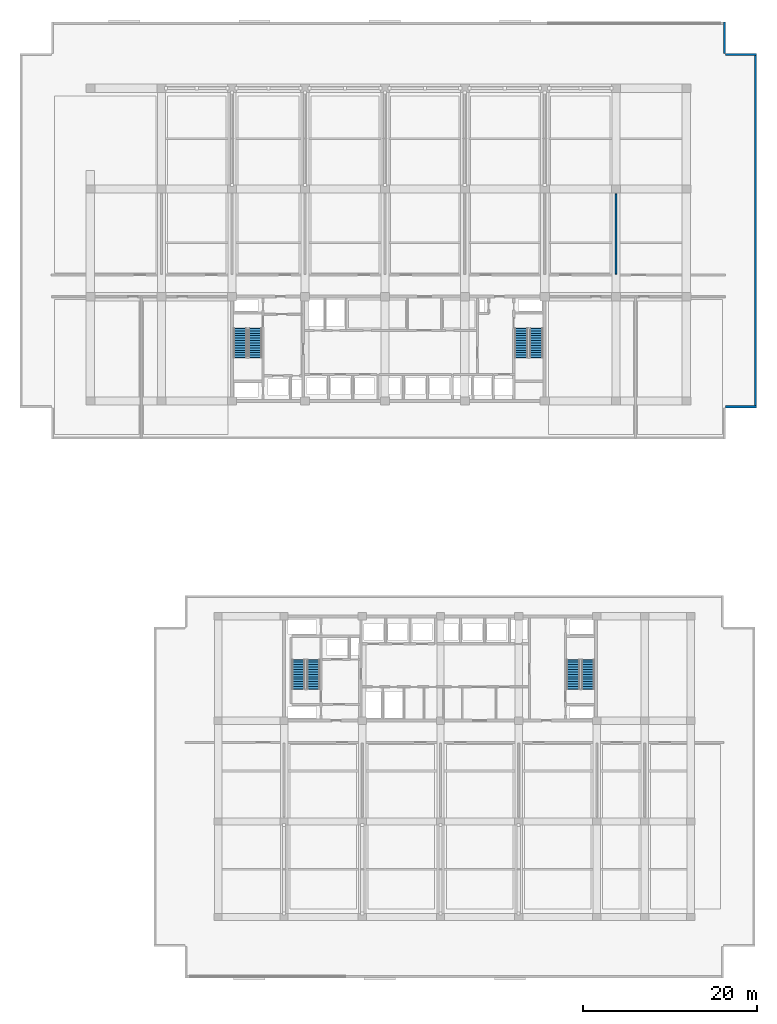
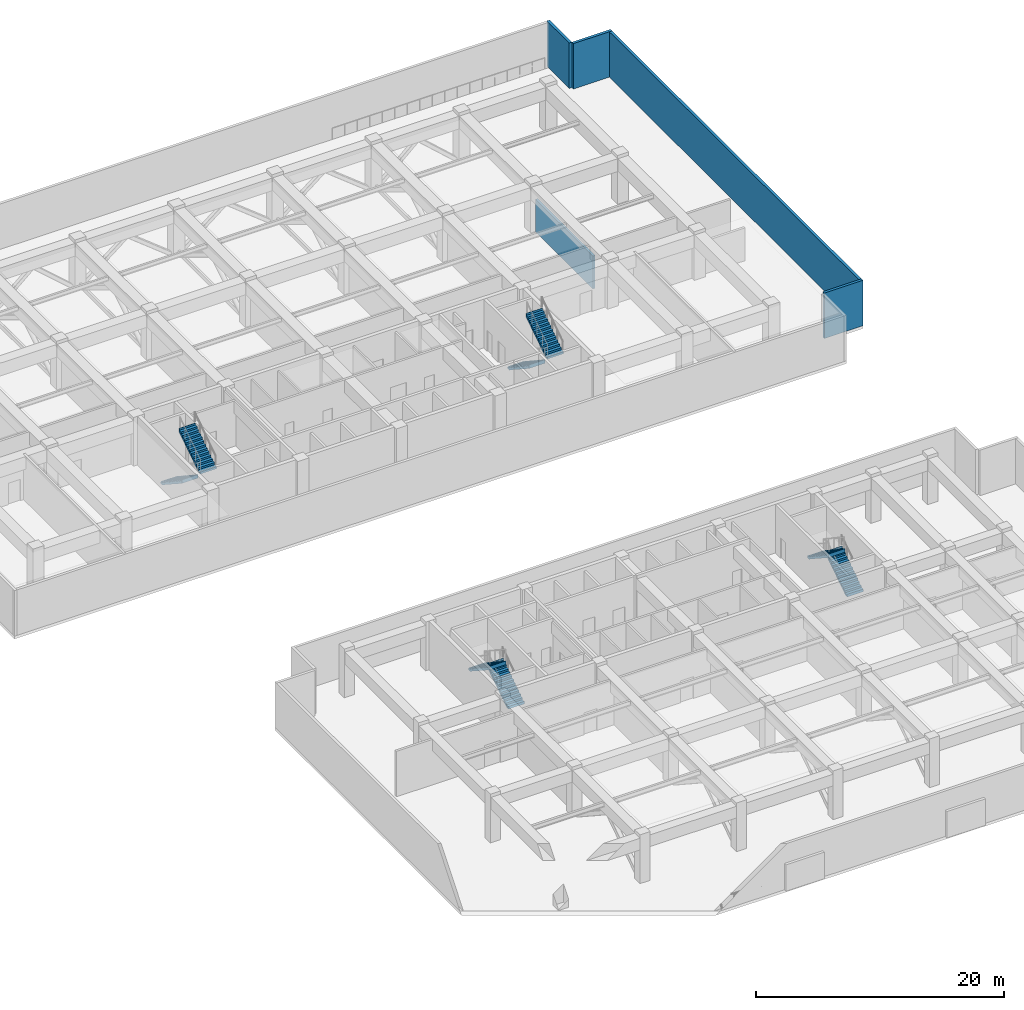
# One storey, part 14 of 21: 8 stair flights, 5 walls, 4 elements without a shape of their own.
"""IFC4 building model written with IfcOpenShell, lengths in metres."""

import ifcopenshell
import ifcopenshell.guid

model = None  # the IFC model being written
_history = None  # IfcOwnerHistory: only IFC2X3 demands one
_inside = {}  # id of a spatial element -> (the spatial element, [elements in it])
_under = {}  # id of a project, library or spatial element -> (it, [spatial elements below it])
_declared = {}  # id of a project -> (the project, [libraries it declares])
_typed = {}  # id of a type object -> (the type object, [elements of that type])
_made_of = {}  # id of a material, layer set ... -> (it, [elements and type objects made of it])


def new_model(schema):
    """Start an empty IFC model of exactly this schema.

    Asked for "IFC4X3", IfcOpenShell would pick the latest addendum, in which some entities
    have other attributes; the version numbers below select the first issue.
    IFC2X3 requires an IfcOwnerHistory on every rooted entity: one is made here for all.
    """
    global model, _history
    if schema == "IFC4X3":
        model = ifcopenshell.file(schema_version=(4, 3, 0, 0))
    else:
        model = ifcopenshell.file(schema=schema)
    _inside.clear()
    _under.clear()
    _declared.clear()
    _typed.clear()
    _made_of.clear()
    _history = None
    if model.schema == "IFC2X3":
        org = make("IfcOrganization", Name="unknown")
        user = make(
            "IfcPersonAndOrganization",
            ThePerson=make("IfcPerson", FamilyName="unknown"),
            TheOrganization=org,
        )
        app = make(
            "IfcApplication",
            ApplicationDeveloper=org,
            Version="unknown",
            ApplicationFullName="unknown",
            ApplicationIdentifier="unknown",
        )
        _history = make(
            "IfcOwnerHistory",
            OwningUser=user,
            OwningApplication=app,
            ChangeAction="ADDED",
            CreationDate=0,
        )
    return model


def make(cls, **values):
    """One entity of the class cls with the attributes given. An attribute that is None is left unset."""
    return model.create_entity(
        cls, **{name: value for name, value in values.items() if value is not None}
    )


def rooted(cls, **values):
    """An entity with a GlobalId (a new one), such as an element, a storey or a relation."""
    return make(cls, GlobalId=ifcopenshell.guid.new(), OwnerHistory=_history, **values)


def si_unit(unit_type, name, prefix=None):
    """IfcSIUnit, for example si_unit("LENGTHUNIT", "METRE", prefix="MILLI")."""
    return make("IfcSIUnit", UnitType=unit_type, Prefix=prefix, Name=name)


def assignment(units):
    """IfcUnitAssignment: the units of a project."""
    return None if units is None else make("IfcUnitAssignment", Units=units)


def point(xyz):
    """IfcCartesianPoint."""
    return None if xyz is None else make("IfcCartesianPoint", Coordinates=xyz)


def direction(xyz):
    """IfcDirection."""
    return None if xyz is None else make("IfcDirection", DirectionRatios=xyz)


def frame(location, z_axis=None, x_axis=None):
    """IfcAxis2Placement3D, a coordinate frame: its origin and axes. An axis left out is left unset."""
    return make(
        "IfcAxis2Placement3D",
        Location=point(location),
        Axis=direction(z_axis),
        RefDirection=direction(x_axis),
    )


def frame_2d(location, x_axis=None):
    """IfcAxis2Placement2D, a coordinate frame in the plane: its origin and x axis."""
    return make(
        "IfcAxis2Placement2D", Location=point(location), RefDirection=direction(x_axis)
    )


def origin():
    """The frame at (0, 0, 0) with its axes left unset."""
    return frame((0.0, 0.0, 0.0))


def place(relative_to, where):
    """IfcLocalPlacement: puts the frame where relative to a parent placement (None: the world)."""
    return make(
        "IfcLocalPlacement", PlacementRelTo=relative_to, RelativePlacement=where
    )


def context(
    kind, dimensions, precision=None, world=None, true_north=None, identifier=None
):
    """IfcGeometricRepresentationContext, for example the 3D "Model" context."""
    return make(
        "IfcGeometricRepresentationContext",
        ContextIdentifier=identifier,
        ContextType=kind,
        CoordinateSpaceDimension=dimensions,
        Precision=precision,
        WorldCoordinateSystem=world,
        TrueNorth=true_north,
    )


def subcontext(parent, identifier, kind, view, scale=None):
    """IfcGeometricRepresentationSubContext, for example "Body" below "Model"."""
    return make(
        "IfcGeometricRepresentationSubContext",
        ContextIdentifier=identifier,
        ContextType=kind,
        ParentContext=parent,
        TargetScale=scale,
        TargetView=view,
    )


def project(units=None, contexts=None):
    """IfcProject with its units and contexts."""
    return rooted(
        "IfcProject",
        Name="project",
        RepresentationContexts=contexts,
        UnitsInContext=assignment(units),
    )


def spatial(cls, under=None, at=None, **own):
    """A site, building, storey or space (cls), placed at a placement, below another one or the project."""
    s = rooted(cls, ObjectPlacement=at, **own)
    if under is not None:
        _under.setdefault(under.id(), (under, []))[1].append(s)
    return s


def polyline(points):
    """IfcPolyline through the points."""
    return make("IfcPolyline", Points=[point(p) for p in points])


def profile(cls, at=None, kind="AREA", **sizes):
    """A parametric profile (cls). Its sizes go by their IFC names, for example OverallWidth=200.0."""
    return make(cls, ProfileType=kind, Position=at, **sizes)


def rectangle(**sizes):
    """IfcRectangleProfileDef."""
    return profile("IfcRectangleProfileDef", **sizes)


def outline(outer, holes=None, kind="AREA"):
    """IfcArbitraryClosedProfileDef: a profile drawn as a closed curve; with holes, ...WithVoids."""
    if holes is None:
        return make("IfcArbitraryClosedProfileDef", ProfileType=kind, OuterCurve=outer)
    return make(
        "IfcArbitraryProfileDefWithVoids",
        ProfileType=kind,
        OuterCurve=outer,
        InnerCurves=holes,
    )


def extrude(swept, where, along, depth):
    """IfcExtrudedAreaSolid: the profile swept, set in the frame where, extruded along a direction by depth."""
    return make(
        "IfcExtrudedAreaSolid",
        SweptArea=swept,
        Position=where,
        ExtrudedDirection=direction(along),
        Depth=depth,
    )


def shape(context_of_items, identifier, shape_type, items):
    """IfcShapeRepresentation: the items that make up one representation, for example the "Body"."""
    return make(
        "IfcShapeRepresentation",
        ContextOfItems=context_of_items,
        RepresentationIdentifier=identifier,
        RepresentationType=shape_type,
        Items=items,
    )


def material(Name=None, Category=None):
    """IfcMaterial."""
    return make("IfcMaterial", Name=Name, Category=Category)


def layer(
    of_material, thickness, ventilated=None, Name=None, Category=None, Priority=None
):
    """IfcMaterialLayer: one layer of a wall or slab, of a material (None: an air gap)."""
    return make(
        "IfcMaterialLayer",
        Material=of_material,
        LayerThickness=thickness,
        IsVentilated=ventilated,
        Name=Name,
        Category=Category,
        Priority=Priority,
    )


def layer_set(layers, Name=None):
    """IfcMaterialLayerSet."""
    return make("IfcMaterialLayerSet", MaterialLayers=layers, LayerSetName=Name)


def made_of(thing, what):
    """Note that an element or type object is made of a material, layer set ...; save() writes the relation."""
    if what is not None:
        _made_of.setdefault(what.id(), (what, []))[1].append(thing)
    return thing


def type_object(cls, material=None, **own):
    """A type object (cls), such as IfcWallType, which elements share."""
    return made_of(rooted(cls, **own), material)


def element(
    cls,
    number,
    at=None,
    inside=None,
    cuts=None,
    type_object=None,
    material=None,
    context=None,
    identifier="Body",
    shape_type=None,
    held_by="IfcProductDefinitionShape",
    body=None,
    shapes=None,
    **own,
):
    """One element of the class cls, such as IfcWall. Its Tag is "e" and its number.

    at: its placement. inside: the storey or other place that contains it. cuts: it is an
    opening in that element (IfcRelVoidsElement). A single representation is given by context,
    identifier, shape_type and body (its items); several are given by shapes. held_by: the class
    of the entity that holds the representations. save() writes the other relations.
    """
    e = rooted(cls, Tag="e%d" % number, ObjectPlacement=at, **own)
    if body is not None:
        shapes = [shape(context, identifier, shape_type, body)]
    if shapes is not None:
        e.Representation = make(held_by, Representations=shapes)
    if inside is not None:
        _inside.setdefault(inside.id(), (inside, []))[1].append(e)
    if cuts is not None:
        rooted(
            "IfcRelVoidsElement", RelatingBuildingElement=cuts, RelatedOpeningElement=e
        )
    if type_object is not None:
        _typed.setdefault(type_object.id(), (type_object, []))[1].append(e)
    return made_of(e, material)


def aggregate(whole, parts):
    """IfcRelAggregates: a whole, such as a stair, and the parts it consists of."""
    return rooted("IfcRelAggregates", RelatingObject=whole, RelatedObjects=parts)


def save(model, path):
    """Write the relations noted so far, then the file.

    IfcRelAggregates (storeys below a building ...), IfcRelContainedInSpatialStructure (elements
    in a storey), IfcRelDefinesByType, IfcRelAssociatesMaterial and IfcRelDeclares: one each for
    every whole, place, type object, material and project.
    """
    for whole, parts in _under.values():
        aggregate(whole, parts)
    for where, things in _inside.values():
        rooted(
            "IfcRelContainedInSpatialStructure",
            RelatedElements=things,
            RelatingStructure=where,
        )
    for kind, things in _typed.values():
        rooted("IfcRelDefinesByType", RelatedObjects=things, RelatingType=kind)
    for what, things in _made_of.values():
        rooted("IfcRelAssociatesMaterial", RelatedObjects=things, RelatingMaterial=what)
    for by, libraries in _declared.values():
        rooted("IfcRelDeclares", RelatingContext=by, RelatedDefinitions=libraries)
    model.write(path)


model = new_model("IFC4")

# Units and contexts
model_context = context("Model", 3, precision=1e-05, world=origin(), true_north=direction((0.0, 1.0)))
body_context = subcontext(model_context, "Body", "Model", "MODEL_VIEW")
ifc_project = project(units=[si_unit("LENGTHUNIT", "METRE"), si_unit("AREAUNIT", "SQUARE_METRE"), si_unit("VOLUMEUNIT", "CUBIC_METRE"), si_unit("PLANEANGLEUNIT", "RADIAN"), si_unit("MASSUNIT", "GRAM", prefix="KILO")], contexts=[model_context])

# Site, building, storey
site_placement = place(None, origin())
site = spatial("IfcSite", under=ifc_project, at=site_placement, CompositionType="ELEMENT")
building_placement = place(site_placement, origin())
building = spatial("IfcBuilding", under=site, at=building_placement, Name="Korimba Cascade Residences", CompositionType="ELEMENT")
storey_placement = place(building_placement, frame((0.0, 0.0, 76.0)))
storey = spatial("IfcBuildingStorey", under=building, at=storey_placement, Name="L21", CompositionType="ELEMENT", Elevation=76.0)

# Walls
ifc_material_1 = material(Name="Precast concrete C40/50", Category="concrete")
ifc_layer_1 = layer(ifc_material_1, 0.25)
ifc_layer_set_1 = layer_set([ifc_layer_1], Name="Precast concrete C40/50")
wall_type_1 = type_object("IfcWallType", Name="EW-PLNT-250", PredefinedType="SHEAR", material=ifc_layer_set_1)
wall_1_placement = place(storey_placement, frame((132.89990234375, 54.52490234375, 0.0), z_axis=(0.0, 0.0, 1.0), x_axis=(1.0, 0.0, 0.0)))
element("IfcWall", 1, at=wall_1_placement, inside=storey, type_object=wall_type_1, Name="L21 T1 Perimeter Stone Wall E02", PredefinedType="SHEAR", context=body_context, shape_type="SweptSolid", body=[
    extrude(rectangle(XDim=3.60009765625, YDim=0.25, at=frame_2d((1.800048828125, 0.0))), origin(), (0.0, 0.0, 1.0), 4.47998046875),
])
wall_2_placement = place(storey_placement, frame((136.375, 54.39990234375, 0.0), z_axis=(0.0, 0.0, 1.0), x_axis=(0.0, 1.0, 0.0)))
element("IfcWall", 2, at=wall_2_placement, inside=storey, type_object=wall_type_1, Name="L21 T1 Perimeter Stone Wall E03", PredefinedType="SHEAR", context=body_context, shape_type="SweptSolid", body=[
    extrude(rectangle(XDim=40.800048828125, YDim=0.25, at=frame_2d((20.39990234375, 0.0))), origin(), (0.0, 0.0, 1.0), 4.47998046875),
])
for number, where, z_axis, x_axis, name in (
    (3, (136.5, 95.074951171875, 0.0), (0.0, 0.0, 1.0), (-1.0, 0.0, 0.0), "L21 T1 Perimeter Stone Wall E04"),
    (4, (132.77490234375, 95.199951171875, 0.0), (0.0, 0.0, 1.0), (0.0, 1.0, 0.0), "L21 T1 Perimeter Stone Wall E05"),
):
    element("IfcWall", number, at=place(storey_placement, frame(where, z_axis=z_axis, x_axis=x_axis)), inside=storey, type_object=wall_type_1, Name=name, PredefinedType="SHEAR", context=body_context, shape_type="SweptSolid", body=[
        extrude(rectangle(XDim=3.60009765625, YDim=0.25, at=frame_2d((1.800048828125, 0.0))), origin(), (0.0, 0.0, 1.0), 4.47998046875),
    ])
ifc_material_2 = material(Name="Concrete C40/50", Category="concrete")
ifc_layer_2 = layer(ifc_material_2, 0.199951171875)
ifc_layer_set_2 = layer_set([ifc_layer_2], Name="Concrete C40/50")
wall_type_2 = type_object("IfcWallType", Name="WAL-PART-200", PredefinedType="PARTITIONING", material=ifc_layer_set_2)
wall_3_placement = place(storey_placement, frame((120.300048828125, 69.800048828125, 0.0), z_axis=(0.0, 0.0, 1.0), x_axis=(0.0, 1.0, 0.0)))
element("IfcWall", 5, at=wall_3_placement, inside=storey, type_object=wall_type_2, Name="L21 Partition Wall WAL-L21-T1-PD7", PredefinedType="PARTITIONING", context=body_context, shape_type="SweptSolid", body=[
    extrude(rectangle(XDim=9.25, YDim=0.199951171875, at=frame_2d((4.625, 0.0))), origin(), (0.0, 0.0, 1.0), 3.22998046875),
])

# Stair, stair flights
ifc_material_3 = material(Name="Concrete C50/60", Category="concrete")
stair_type_1 = type_object("IfcStairType", Name="STR-W1-26R-1846", PredefinedType="HALF_TURN_STAIR", material=ifc_material_3)
stair_1_placement = place(storey_placement, origin())
stair_1 = element("IfcStair", 6, at=stair_1_placement, inside=storey, type_object=stair_type_1, Name="L21 Tower 1 West Fire Stair ST-W1", PredefinedType="HALF_TURN_STAIR")
stair_flight_type = type_object("IfcStairFlightType", Name="STF-DL-26R-1846-1520", PredefinedType="STRAIGHT", material=ifc_material_3)
stair_flight_1_placement = place(storey_placement, frame((77.06005859375, 63.550048828125, 0.0), z_axis=(0.0, 0.0, 1.0), x_axis=(0.0, -1.0, 0.0)))
stair_flight_1 = element("IfcStairFlight", 7, at=stair_flight_1_placement, type_object=stair_flight_type, Name="ST-W1 flight 1", NumberOfRisers=13, NumberOfTreads=12, PredefinedType="STRAIGHT", RiserHeight=0.184615385, TreadLength=0.28, context=body_context, shape_type="SweptSolid", body=[
    extrude(outline(polyline([(-0.0380859375, 0.0), (0.0, 0.1845703125), (0.280029296875, 0.1845703125), (0.280029296875, 0.369140625), (0.56005859375, 0.369140625), (0.56005859375, 0.553955078125), (0.840087890625, 0.553955078125), (0.840087890625, 0.738525390625), (1.1201171875, 0.738525390625), (1.1201171875, 0.923095703125), (1.39990234375, 0.923095703125), (1.39990234375, 1.107666015625), (1.679931640625, 1.107666015625), (1.679931640625, 1.292236328125), (1.9599609375, 1.292236328125), (1.9599609375, 1.476806640625), (2.239990234375, 1.476806640625), (2.239990234375, 1.66162109375), (2.52001953125, 1.66162109375), (2.52001953125, 1.84619140625), (2.800048828125, 1.84619140625), (2.800048828125, 2.03076171875), (3.080078125, 2.03076171875), (3.080078125, 2.21533203125), (3.360107421875, 2.21533203125), (3.360107421875, 2.39990234375), (3.39794921875, 2.39990234375), (3.39794921875, 2.035888671875), (0.272216796875, 0.0), (0.272216796875, -0.0380859375), (-0.0380859375, -0.0380859375), (-0.0380859375, 0.0)])), frame((0.0, 0.760009765625, 0.0), z_axis=(0.0, -1.0, 0.0), x_axis=(1.0, 0.0, 0.0)), (0.0, 0.0, 1.0), 1.52001953125),
])
stair_flight_2_placement = place(storey_placement, frame((78.780029296875, 60.18994140625, 2.39990234375), z_axis=(0.0, 0.0, 1.0), x_axis=(0.0, 1.0, 0.0)))
stair_flight_2 = element("IfcStairFlight", 8, at=stair_flight_2_placement, type_object=stair_flight_type, Name="ST-W1 flight 2", NumberOfRisers=13, NumberOfTreads=12, PredefinedType="STRAIGHT", RiserHeight=0.184615385, TreadLength=0.28, context=body_context, shape_type="SweptSolid", body=[
    extrude(outline(polyline([(-0.0380859375, 0.0), (0.0, 0.1845703125), (0.280029296875, 0.1845703125), (0.280029296875, 0.369140625), (0.56005859375, 0.369140625), (0.56005859375, 0.553955078125), (0.840087890625, 0.553955078125), (0.840087890625, 0.738525390625), (1.1201171875, 0.738525390625), (1.1201171875, 0.923095703125), (1.39990234375, 0.923095703125), (1.39990234375, 1.107666015625), (1.679931640625, 1.107666015625), (1.679931640625, 1.292236328125), (1.9599609375, 1.292236328125), (1.9599609375, 1.476806640625), (2.239990234375, 1.476806640625), (2.239990234375, 1.66162109375), (2.52001953125, 1.66162109375), (2.52001953125, 1.84619140625), (2.800048828125, 1.84619140625), (2.800048828125, 2.03076171875), (3.080078125, 2.03076171875), (3.080078125, 2.21533203125), (3.360107421875, 2.21533203125), (3.360107421875, 2.39990234375), (3.39794921875, 2.39990234375), (3.39794921875, 2.035888671875), (0.272216796875, 0.0), (0.272216796875, -0.0380859375), (-0.0380859375, -0.0380859375), (-0.0380859375, 0.0)])), frame((0.0, 0.760009765625, 0.0), z_axis=(0.0, -1.0, 0.0), x_axis=(1.0, 0.0, 0.0)), (0.0, 0.0, 1.0), 1.52001953125),
])
aggregate(stair_1, [stair_flight_1, stair_flight_2])

stair_type_2 = type_object("IfcStairType", Name="STR-W2-26R-1846", PredefinedType="HALF_TURN_STAIR", material=ifc_material_3)
stair_2_placement = place(storey_placement, origin())
stair_2 = element("IfcStair", 9, at=stair_2_placement, inside=storey, type_object=stair_type_2, Name="L21 Tower 1 East Fire Stair ST-W2", PredefinedType="HALF_TURN_STAIR")
stair_flight_3_placement = place(storey_placement, frame((109.419921875, 63.550048828125, 0.0), z_axis=(0.0, 0.0, 1.0), x_axis=(0.0, -1.0, 0.0)))
stair_flight_3 = element("IfcStairFlight", 10, at=stair_flight_3_placement, type_object=stair_flight_type, Name="ST-W2 flight 1", NumberOfRisers=13, NumberOfTreads=12, PredefinedType="STRAIGHT", RiserHeight=0.184615385, TreadLength=0.28, context=body_context, shape_type="SweptSolid", body=[
    extrude(outline(polyline([(-0.0380859375, 0.0), (0.0, 0.1845703125), (0.280029296875, 0.1845703125), (0.280029296875, 0.369140625), (0.56005859375, 0.369140625), (0.56005859375, 0.553955078125), (0.840087890625, 0.553955078125), (0.840087890625, 0.738525390625), (1.1201171875, 0.738525390625), (1.1201171875, 0.923095703125), (1.39990234375, 0.923095703125), (1.39990234375, 1.107666015625), (1.679931640625, 1.107666015625), (1.679931640625, 1.292236328125), (1.9599609375, 1.292236328125), (1.9599609375, 1.476806640625), (2.239990234375, 1.476806640625), (2.239990234375, 1.66162109375), (2.52001953125, 1.66162109375), (2.52001953125, 1.84619140625), (2.800048828125, 1.84619140625), (2.800048828125, 2.03076171875), (3.080078125, 2.03076171875), (3.080078125, 2.21533203125), (3.360107421875, 2.21533203125), (3.360107421875, 2.39990234375), (3.39794921875, 2.39990234375), (3.39794921875, 2.035888671875), (0.272216796875, 0.0), (0.272216796875, -0.0380859375), (-0.0380859375, -0.0380859375), (-0.0380859375, 0.0)])), frame((0.0, 0.760009765625, 0.0), z_axis=(0.0, -1.0, 0.0), x_axis=(1.0, 0.0, 0.0)), (0.0, 0.0, 1.0), 1.52001953125),
])
stair_flight_4_placement = place(storey_placement, frame((111.139892578125, 60.18994140625, 2.39990234375), z_axis=(0.0, 0.0, 1.0), x_axis=(0.0, 1.0, 0.0)))
stair_flight_4 = element("IfcStairFlight", 11, at=stair_flight_4_placement, type_object=stair_flight_type, Name="ST-W2 flight 2", NumberOfRisers=13, NumberOfTreads=12, PredefinedType="STRAIGHT", RiserHeight=0.184615385, TreadLength=0.28, context=body_context, shape_type="SweptSolid", body=[
    extrude(outline(polyline([(-0.0380859375, 0.0), (0.0, 0.1845703125), (0.280029296875, 0.1845703125), (0.280029296875, 0.369140625), (0.56005859375, 0.369140625), (0.56005859375, 0.553955078125), (0.840087890625, 0.553955078125), (0.840087890625, 0.738525390625), (1.1201171875, 0.738525390625), (1.1201171875, 0.923095703125), (1.39990234375, 0.923095703125), (1.39990234375, 1.107666015625), (1.679931640625, 1.107666015625), (1.679931640625, 1.292236328125), (1.9599609375, 1.292236328125), (1.9599609375, 1.476806640625), (2.239990234375, 1.476806640625), (2.239990234375, 1.66162109375), (2.52001953125, 1.66162109375), (2.52001953125, 1.84619140625), (2.800048828125, 1.84619140625), (2.800048828125, 2.03076171875), (3.080078125, 2.03076171875), (3.080078125, 2.21533203125), (3.360107421875, 2.21533203125), (3.360107421875, 2.39990234375), (3.39794921875, 2.39990234375), (3.39794921875, 2.035888671875), (0.272216796875, 0.0), (0.272216796875, -0.0380859375), (-0.0380859375, -0.0380859375), (-0.0380859375, 0.0)])), frame((0.0, 0.760009765625, 0.0), z_axis=(0.0, -1.0, 0.0), x_axis=(1.0, 0.0, 0.0)), (0.0, 0.0, 1.0), 1.52001953125),
])
aggregate(stair_2, [stair_flight_3, stair_flight_4])

stair_type_3 = type_object("IfcStairType", Name="STR-E1-26R-1846", PredefinedType="HALF_TURN_STAIR", material=ifc_material_3)
stair_3_placement = place(storey_placement, origin())
stair_3 = element("IfcStair", 12, at=stair_3_placement, inside=storey, type_object=stair_type_3, Name="L21 Tower 2 West Fire Stair ST-E1", PredefinedType="HALF_TURN_STAIR")
stair_flight_5_placement = place(storey_placement, frame((85.47998046875, 22.050048828125, 0.0), z_axis=(0.0, 0.0, 1.0), x_axis=(0.0, 1.0, 0.0)))
stair_flight_5 = element("IfcStairFlight", 13, at=stair_flight_5_placement, type_object=stair_flight_type, Name="ST-E1 flight 1", NumberOfRisers=13, NumberOfTreads=12, PredefinedType="STRAIGHT", RiserHeight=0.184615385, TreadLength=0.28, context=body_context, shape_type="SweptSolid", body=[
    extrude(outline(polyline([(-0.0380859375, 0.0), (0.0, 0.1845703125), (0.280029296875, 0.1845703125), (0.280029296875, 0.369140625), (0.56005859375, 0.369140625), (0.56005859375, 0.553955078125), (0.840087890625, 0.553955078125), (0.840087890625, 0.738525390625), (1.1201171875, 0.738525390625), (1.1201171875, 0.923095703125), (1.39990234375, 0.923095703125), (1.39990234375, 1.107666015625), (1.679931640625, 1.107666015625), (1.679931640625, 1.292236328125), (1.9599609375, 1.292236328125), (1.9599609375, 1.476806640625), (2.239990234375, 1.476806640625), (2.239990234375, 1.66162109375), (2.52001953125, 1.66162109375), (2.52001953125, 1.84619140625), (2.800048828125, 1.84619140625), (2.800048828125, 2.03076171875), (3.080078125, 2.03076171875), (3.080078125, 2.21533203125), (3.360107421875, 2.21533203125), (3.360107421875, 2.39990234375), (3.39794921875, 2.39990234375), (3.39794921875, 2.035888671875), (0.272216796875, 0.0), (0.272216796875, -0.0380859375), (-0.0380859375, -0.0380859375), (-0.0380859375, 0.0)])), frame((0.0, 0.760009765625, 0.0), z_axis=(0.0, -1.0, 0.0), x_axis=(1.0, 0.0, 0.0)), (0.0, 0.0, 1.0), 1.52001953125),
])
stair_flight_6_placement = place(storey_placement, frame((83.760009765625, 25.409912109375, 2.39990234375), z_axis=(0.0, 0.0, 1.0), x_axis=(0.0, -1.0, 0.0)))
stair_flight_6 = element("IfcStairFlight", 14, at=stair_flight_6_placement, type_object=stair_flight_type, Name="ST-E1 flight 2", NumberOfRisers=13, NumberOfTreads=12, PredefinedType="STRAIGHT", RiserHeight=0.184615385, TreadLength=0.28, context=body_context, shape_type="SweptSolid", body=[
    extrude(outline(polyline([(-0.0380859375, 0.0), (0.0, 0.1845703125), (0.280029296875, 0.1845703125), (0.280029296875, 0.369140625), (0.56005859375, 0.369140625), (0.56005859375, 0.553955078125), (0.840087890625, 0.553955078125), (0.840087890625, 0.738525390625), (1.1201171875, 0.738525390625), (1.1201171875, 0.923095703125), (1.39990234375, 0.923095703125), (1.39990234375, 1.107666015625), (1.679931640625, 1.107666015625), (1.679931640625, 1.292236328125), (1.9599609375, 1.292236328125), (1.9599609375, 1.476806640625), (2.239990234375, 1.476806640625), (2.239990234375, 1.66162109375), (2.52001953125, 1.66162109375), (2.52001953125, 1.84619140625), (2.800048828125, 1.84619140625), (2.800048828125, 2.03076171875), (3.080078125, 2.03076171875), (3.080078125, 2.21533203125), (3.360107421875, 2.21533203125), (3.360107421875, 2.39990234375), (3.39794921875, 2.39990234375), (3.39794921875, 2.035888671875), (0.272216796875, 0.0), (0.272216796875, -0.0380859375), (-0.0380859375, -0.0380859375), (-0.0380859375, 0.0)])), frame((0.0, 0.760009765625, 0.0), z_axis=(0.0, -1.0, 0.0), x_axis=(1.0, 0.0, 0.0)), (0.0, 0.0, 1.0), 1.52001953125),
])
aggregate(stair_3, [stair_flight_5, stair_flight_6])

stair_type_4 = type_object("IfcStairType", Name="STR-E2-26R-1846", PredefinedType="HALF_TURN_STAIR", material=ifc_material_3)
stair_4_placement = place(storey_placement, origin())
stair_4 = element("IfcStair", 15, at=stair_4_placement, inside=storey, type_object=stair_type_4, Name="L21 Tower 2 East Fire Stair ST-E2", PredefinedType="HALF_TURN_STAIR")
stair_flight_7_placement = place(storey_placement, frame((117.080078125, 22.050048828125, 0.0), z_axis=(0.0, 0.0, 1.0), x_axis=(0.0, 1.0, 0.0)))
stair_flight_7 = element("IfcStairFlight", 16, at=stair_flight_7_placement, type_object=stair_flight_type, Name="ST-E2 flight 1", NumberOfRisers=13, NumberOfTreads=12, PredefinedType="STRAIGHT", RiserHeight=0.184615385, TreadLength=0.28, context=body_context, shape_type="SweptSolid", body=[
    extrude(outline(polyline([(-0.0380859375, 0.0), (0.0, 0.1845703125), (0.280029296875, 0.1845703125), (0.280029296875, 0.369140625), (0.56005859375, 0.369140625), (0.56005859375, 0.553955078125), (0.840087890625, 0.553955078125), (0.840087890625, 0.738525390625), (1.1201171875, 0.738525390625), (1.1201171875, 0.923095703125), (1.39990234375, 0.923095703125), (1.39990234375, 1.107666015625), (1.679931640625, 1.107666015625), (1.679931640625, 1.292236328125), (1.9599609375, 1.292236328125), (1.9599609375, 1.476806640625), (2.239990234375, 1.476806640625), (2.239990234375, 1.66162109375), (2.52001953125, 1.66162109375), (2.52001953125, 1.84619140625), (2.800048828125, 1.84619140625), (2.800048828125, 2.03076171875), (3.080078125, 2.03076171875), (3.080078125, 2.21533203125), (3.360107421875, 2.21533203125), (3.360107421875, 2.39990234375), (3.39794921875, 2.39990234375), (3.39794921875, 2.035888671875), (0.272216796875, 0.0), (0.272216796875, -0.0380859375), (-0.0380859375, -0.0380859375), (-0.0380859375, 0.0)])), frame((0.0, 0.760009765625, 0.0), z_axis=(0.0, -1.0, 0.0), x_axis=(1.0, 0.0, 0.0)), (0.0, 0.0, 1.0), 1.52001953125),
])
stair_flight_8_placement = place(storey_placement, frame((115.360107421875, 25.409912109375, 2.39990234375), z_axis=(0.0, 0.0, 1.0), x_axis=(0.0, -1.0, 0.0)))
stair_flight_8 = element("IfcStairFlight", 17, at=stair_flight_8_placement, type_object=stair_flight_type, Name="ST-E2 flight 2", NumberOfRisers=13, NumberOfTreads=12, PredefinedType="STRAIGHT", RiserHeight=0.184615385, TreadLength=0.28, context=body_context, shape_type="SweptSolid", body=[
    extrude(outline(polyline([(-0.0380859375, 0.0), (0.0, 0.1845703125), (0.280029296875, 0.1845703125), (0.280029296875, 0.369140625), (0.56005859375, 0.369140625), (0.56005859375, 0.553955078125), (0.840087890625, 0.553955078125), (0.840087890625, 0.738525390625), (1.1201171875, 0.738525390625), (1.1201171875, 0.923095703125), (1.39990234375, 0.923095703125), (1.39990234375, 1.107666015625), (1.679931640625, 1.107666015625), (1.679931640625, 1.292236328125), (1.9599609375, 1.292236328125), (1.9599609375, 1.476806640625), (2.239990234375, 1.476806640625), (2.239990234375, 1.66162109375), (2.52001953125, 1.66162109375), (2.52001953125, 1.84619140625), (2.800048828125, 1.84619140625), (2.800048828125, 2.03076171875), (3.080078125, 2.03076171875), (3.080078125, 2.21533203125), (3.360107421875, 2.21533203125), (3.360107421875, 2.39990234375), (3.39794921875, 2.39990234375), (3.39794921875, 2.035888671875), (0.272216796875, 0.0), (0.272216796875, -0.0380859375), (-0.0380859375, -0.0380859375), (-0.0380859375, 0.0)])), frame((0.0, 0.760009765625, 0.0), z_axis=(0.0, -1.0, 0.0), x_axis=(1.0, 0.0, 0.0)), (0.0, 0.0, 1.0), 1.52001953125),
])
aggregate(stair_4, [stair_flight_7, stair_flight_8])

save(model, "model.ifc")
